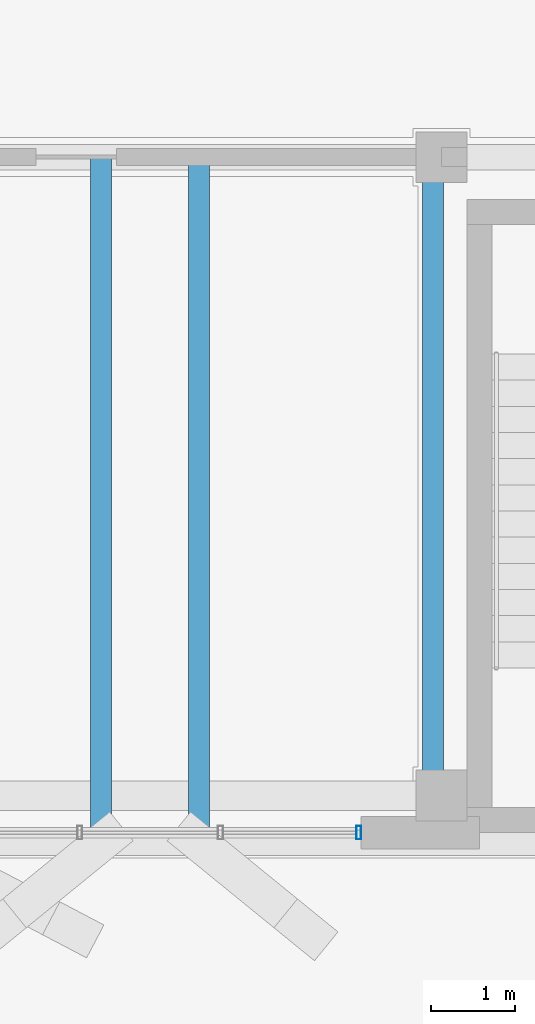
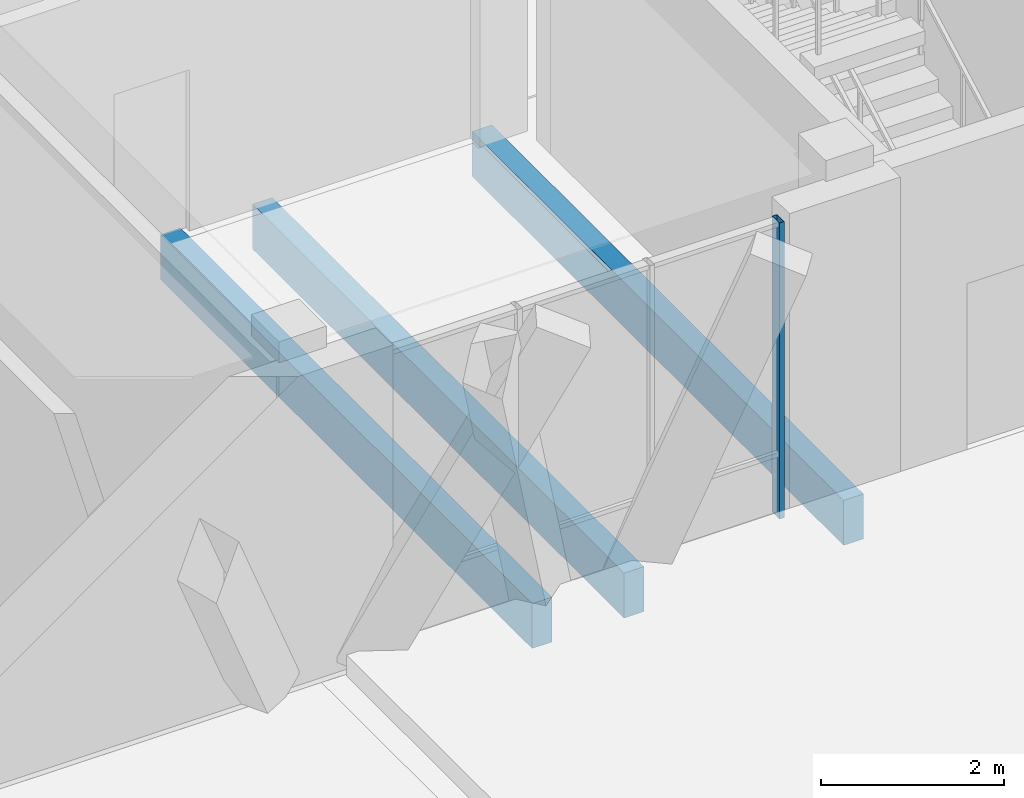
# One storey, part 103 of 233: 3 beams, 1 member, 1 element without a shape of its own.
"""IFC4 building model written with IfcOpenShell, lengths in metres."""

from ifc_helpers import new_model, si_unit, direction, frame, origin, origin_2d, place, context, subcontext, project, spatial, rectangle, hollow_rectangle, extrude, material, material_profile, profile_set, type_object, element, aggregate, save


model = new_model("IFC4")

# Units and contexts
model_context = context("Model", 3, precision=1e-05, world=origin(), true_north=direction((0.0, 1.0)))
body_context = subcontext(model_context, "Body", "Model", "MODEL_VIEW")
ifc_project = project(units=[si_unit("LENGTHUNIT", "METRE"), si_unit("AREAUNIT", "SQUARE_METRE"), si_unit("VOLUMEUNIT", "CUBIC_METRE"), si_unit("PLANEANGLEUNIT", "RADIAN"), si_unit("MASSUNIT", "GRAM", prefix="KILO")], contexts=[model_context])

# Site, building, storey
site_placement = place(None, origin())
site = spatial("IfcSite", under=ifc_project, at=site_placement, CompositionType="ELEMENT")
building_placement = place(site_placement, origin())
building = spatial("IfcBuilding", under=site, at=building_placement, Name="Zavelmont Quarter", CompositionType="ELEMENT")
storey_placement = place(building_placement, origin())
storey = spatial("IfcBuildingStorey", under=building, at=storey_placement, Name="L00", CompositionType="ELEMENT", Elevation=0.0)

# Beams
ifc_material_1 = material(Name="Concrete C40/50", Category="concrete")
ifc_material_profile_1 = material_profile(ifc_material_1, rectangle(XDim=0.25, YDim=0.60009765625, at=origin_2d()), Name="RC250X600")
ifc_profile_set_1 = profile_set([ifc_material_profile_1], Name="Concrete C40/50")
beam_type = type_object("IfcBeamType", Name="BM18", PredefinedType="BEAM", material=ifc_profile_set_1)
for number, where, z_axis, x_axis, name in (
    (1, (27.5, 105.60009765625, -0.300048828125), (0.0, -1.0, 0.0), (1.0, 0.0, 0.0), "L00 beam BM18 5/Q to 5/P"),
    (2, (23.570068359375, 105.60009765625, -0.300048828125), (0.0, -1.0, 0.0), (1.0, 0.0, 0.0), "L00 beam BM18 4/Q to 4/P"),
    (3, (24.72998046875, 105.60009765625, -0.300048828125), (0.0, -1.0, 0.0), (1.0, 0.0, 0.0), "L00 beam BM18 5/Q to 5/P"),
):
    element("IfcBeam", number, at=place(storey_placement, frame(where, z_axis=z_axis, x_axis=x_axis)), inside=storey, type_object=beam_type, Name=name, PredefinedType="BEAM", context=body_context, shape_type="SweptSolid", body=[
        extrude(rectangle(XDim=0.25, YDim=0.60009765625, at=origin_2d()), origin(), (0.0, 0.0, 1.0), 8.1201171875),
    ])

# Curtain wall, member
ifc_material_2 = material(Name="Thermally broken aluminium and double low-E safety glazing", Category="aluminium")
curtain_wall_type = type_object("IfcCurtainWallType", Name="CW-500X395", PredefinedType="NOTDEFINED", material=ifc_material_2)
curtain_wall_placement = place(storey_placement, origin())
curtain_wall = element("IfcCurtainWall", 4, at=curtain_wall_placement, inside=storey, type_object=curtain_wall_type, Name="L00 unitised curtain wall CW-500X395", PredefinedType="NOTDEFINED")
ifc_material_3 = material(Name="Powder-coated aluminium EN AW-6063-T6", Category="aluminium")
ifc_material_profile_2 = material_profile(ifc_material_3, hollow_rectangle(XDim=0.06005859375, YDim=0.159912109375, WallThickness=0.00390625, at=origin_2d()), Name="CWM60X160")
ifc_profile_set_2 = profile_set([ifc_material_profile_2], Name="Powder-coated aluminium EN AW-6063-T6")
member_type = type_object("IfcMemberType", Name="CWM01", PredefinedType="MULLION", material=ifc_profile_set_2)
member_placement = place(storey_placement, frame((26.6201171875, 97.60009765625, 0.0), z_axis=(0.0, 0.0, 1.0), x_axis=(1.0, 0.0, 0.0)))
member = element("IfcMember", 5, at=member_placement, type_object=member_type, Name="CW-500X395 mullion 4", PredefinedType="MULLION", context=body_context, shape_type="SweptSolid", body=[
    extrude(hollow_rectangle(XDim=0.06005859375, YDim=0.159912109375, WallThickness=0.00390625, at=origin_2d()), origin(), (0.0, 0.0, 1.0), 3.949951171875),
])
aggregate(curtain_wall, [member])

save(model, "model.ifc")
